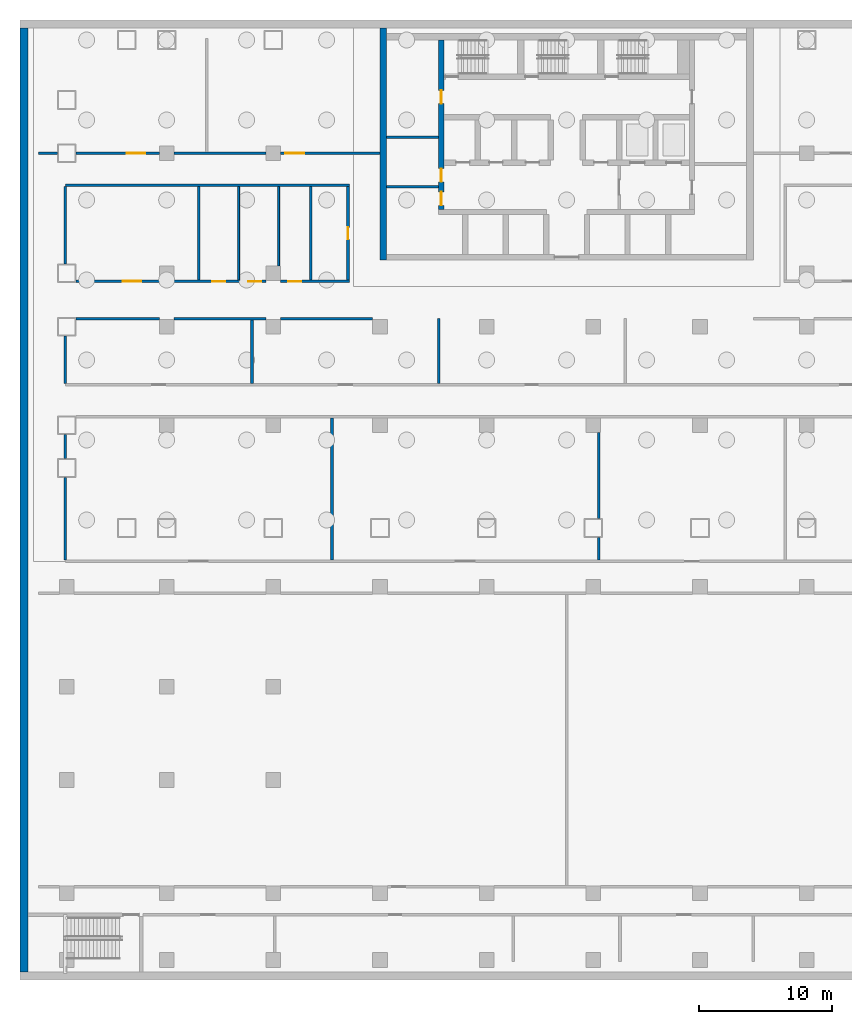
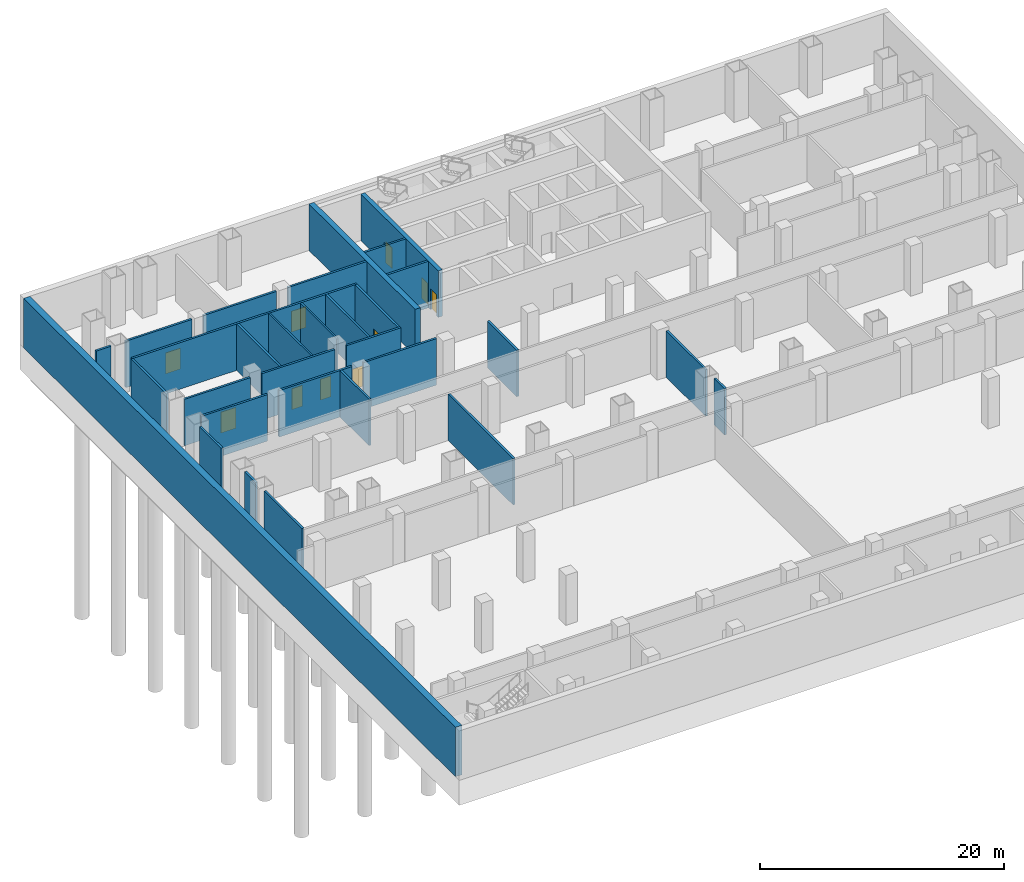
# One storey, part 6 of 14: 30 walls, 10 doors, 10 openings.
"""IFC4 building model written with IfcOpenShell, lengths in metres."""

from ifc_helpers import new_model, si_unit, direction, frame, frame_2d, origin, place, context, subcontext, project, spatial, rectangle, extrude, material, layer, layer_set, type_object, element, fill, save


model = new_model("IFC4")

# Units and contexts
model_context = context("Model", 3, precision=1e-05, world=origin(), true_north=direction((0.0, 1.0)))
body_context = subcontext(model_context, "Body", "Model", "MODEL_VIEW")
ifc_project = project(units=[si_unit("LENGTHUNIT", "METRE"), si_unit("AREAUNIT", "SQUARE_METRE"), si_unit("VOLUMEUNIT", "CUBIC_METRE"), si_unit("PLANEANGLEUNIT", "RADIAN"), si_unit("MASSUNIT", "GRAM", prefix="KILO")], contexts=[model_context])

# Site, building, storey
site_placement = place(None, origin())
site = spatial("IfcSite", under=ifc_project, at=site_placement, CompositionType="ELEMENT")
building_placement = place(site_placement, origin())
building = spatial("IfcBuilding", under=site, at=building_placement, Name="Vidyagriha Tower", CompositionType="ELEMENT")
storey_placement = place(building_placement, frame((0.0, 0.0, -10.0)))
storey = spatial("IfcBuildingStorey", under=building, at=storey_placement, Name="B2", CompositionType="ELEMENT", Elevation=-10.0)

# Wall
ifc_material_1 = material(Name="Concrete C50/60", Category="concrete")
ifc_layer_1 = layer(ifc_material_1, 0.60009765625)
ifc_layer_set_1 = layer_set([ifc_layer_1], Name="Concrete C50/60")
wall_type_1 = type_object("IfcWallType", Name="Basement retaining wall 600", PredefinedType="SOLIDWALL", material=ifc_layer_set_1)
wall_1_placement = place(storey_placement, frame((-40.699951171875, -50.39990234375, -0.300048828125), z_axis=(0.0, 0.0, 1.0), x_axis=(0.0, 1.0, 0.0)))
element("IfcWall", 1, at=wall_1_placement, inside=storey, type_object=wall_type_1, Name="st-retwall-B2-w", PredefinedType="SOLIDWALL", context=body_context, shape_type="SweptSolid", body=[
    extrude(rectangle(XDim=70.7998046875, YDim=0.60009765625, at=frame_2d((35.39990234375, 0.0))), origin(), (0.0, 0.0, 1.0), 4.949951171875),
])

# Wall, openings, doors
ifc_material_2 = material(Name="Concrete C60/75", Category="concrete")
ifc_layer_2 = layer(ifc_material_2, 0.39990234375)
ifc_layer_set_2 = layer_set([ifc_layer_2], Name="Concrete C60/75")
wall_type_2 = type_object("IfcWallType", Name="Core shear wall 400 mm", PredefinedType="SHEAR", material=ifc_layer_set_2)
wall_2_placement = place(storey_placement, frame((-9.39990234375, 6.800048828125, 0.0), z_axis=(0.0, 0.0, 1.0), x_axis=(0.0, 1.0, 0.0)))
wall_2 = element("IfcWall", 2, at=wall_2_placement, inside=storey, type_object=wall_type_2, Name="Core west spine wall", PredefinedType="SHEAR", context=body_context, shape_type="SweptSolid", body=[
    extrude(rectangle(XDim=12.699951171875, YDim=0.39990234375, at=frame_2d((6.35009765625, 0.0))), origin(), (0.0, 0.0, 1.0), 4.64990234375),
])
opening_1_placement = place(wall_2_placement, frame((0.300048828125, 0.0, 0.0)))
opening_1 = element("IfcOpeningElement", 3, at=opening_1_placement, cuts=wall_2, Name="Opening DB2-10", PredefinedType="OPENING", context=body_context, shape_type="SweptSolid", body=[
    extrude(rectangle(XDim=1.0, YDim=2.10009765625, at=frame_2d((0.5, 1.050048828125))), frame((0.0, 0.2099609375, 0.0), z_axis=(0.0, -1.0, 0.0), x_axis=(1.0, 0.0, 0.0)), (0.0, 0.0, 1.0), 0.419921875),
])
opening_2_placement = place(wall_2_placement, frame((2.050048828125, 0.0, 0.0)))
opening_2 = element("IfcOpeningElement", 4, at=opening_2_placement, cuts=wall_2, Name="Opening DB2-11", PredefinedType="OPENING", context=body_context, shape_type="SweptSolid", body=[
    extrude(rectangle(XDim=1.0, YDim=2.10009765625, at=frame_2d((0.5, 1.050048828125))), frame((0.0, 0.2099609375, 0.0), z_axis=(0.0, -1.0, 0.0), x_axis=(1.0, 0.0, 0.0)), (0.0, 0.0, 1.0), 0.419921875),
])
opening_3_placement = place(wall_2_placement, frame((7.925048828125, 0.0, 0.0)))
opening_3 = element("IfcOpeningElement", 5, at=opening_3_placement, cuts=wall_2, Name="Opening DB2-12", PredefinedType="OPENING", context=body_context, shape_type="SweptSolid", body=[
    extrude(rectangle(XDim=1.0, YDim=2.10009765625, at=frame_2d((0.5, 1.050048828125))), frame((0.0, 0.2099609375, 0.0), z_axis=(0.0, -1.0, 0.0), x_axis=(1.0, 0.0, 0.0)), (0.0, 0.0, 1.0), 0.419921875),
])
ifc_material_3 = material(Name="Hollow metal door leaf")
door_type_1 = type_object("IfcDoorType", Name="Core room door 1000 x 2100 mm EI 60", OperationType="NOTDEFINED", PredefinedType="DOOR", material=ifc_material_3)
door_1_placement = place(opening_1_placement, frame((1.0, 0.0, 0.0), z_axis=(0.0, 0.0, 1.0), x_axis=(-1.0, 0.0, 0.0)))
door_1 = element("IfcDoor", 6, at=door_1_placement, inside=storey, type_object=door_type_1, Name="Door Electrical Room B2.W1", OperationType="SINGLE_SWING_RIGHT", OverallHeight=2.10009765625, OverallWidth=1.0, PredefinedType="DOOR", context=body_context, shape_type="SweptSolid", body=[
    extrude(rectangle(XDim=1.0, YDim=2.10009765625, at=frame_2d((0.5, 1.050048828125))), frame((0.0, 0.02490234375, 0.0), z_axis=(0.0, -1.0, 0.0), x_axis=(1.0, 0.0, 0.0)), (0.0, 0.0, 1.0), 0.050048828125),
])
fill(opening_1, door_1)
door_2_placement = place(opening_2_placement, frame((1.0, 0.0, 0.0), z_axis=(0.0, 0.0, 1.0), x_axis=(-1.0, 0.0, 0.0)))
door_2 = element("IfcDoor", 7, at=door_2_placement, inside=storey, type_object=door_type_1, Name="Door Refuse Room B2.W2", OperationType="SINGLE_SWING_LEFT", OverallHeight=2.10009765625, OverallWidth=1.0, PredefinedType="DOOR", context=body_context, shape_type="SweptSolid", body=[
    extrude(rectangle(XDim=1.0, YDim=2.10009765625, at=frame_2d((0.5, 1.050048828125))), frame((0.0, 0.02490234375, 0.0), z_axis=(0.0, -1.0, 0.0), x_axis=(1.0, 0.0, 0.0)), (0.0, 0.0, 1.0), 0.050048828125),
])
fill(opening_2, door_2)
door_3_placement = place(opening_3_placement, frame((1.0, 0.0, 0.0), z_axis=(0.0, 0.0, 1.0), x_axis=(-1.0, 0.0, 0.0)))
door_3 = element("IfcDoor", 8, at=door_3_placement, inside=storey, type_object=door_type_1, Name="Door Mechanical Riser Room B2.W3", OperationType="SINGLE_SWING_LEFT", OverallHeight=2.10009765625, OverallWidth=1.0, PredefinedType="DOOR", context=body_context, shape_type="SweptSolid", body=[
    extrude(rectangle(XDim=1.0, YDim=2.10009765625, at=frame_2d((0.5, 1.050048828125))), frame((0.0, 0.02490234375, 0.0), z_axis=(0.0, -1.0, 0.0), x_axis=(1.0, 0.0, 0.0)), (0.0, 0.0, 1.0), 0.050048828125),
])
fill(opening_3, door_3)

# Walls
ifc_material_4 = material(Name="Concrete C60/75", Category="concrete")
ifc_layer_3 = layer(ifc_material_4, 0.5)
ifc_layer_set_3 = layer_set([ifc_layer_3], Name="Concrete C60/75")
wall_type_3 = type_object("IfcWallType", Name="Core shear wall 500 mm", PredefinedType="SHEAR", material=ifc_layer_set_3)
wall_3_placement = place(storey_placement, frame((-13.75, 3.0, 0.0), z_axis=(0.0, 0.0, 1.0), x_axis=(0.0, 1.0, 0.0)))
element("IfcWall", 9, at=wall_3_placement, inside=storey, type_object=wall_type_3, Name="Core west wall", PredefinedType="SHEAR", context=body_context, shape_type="SweptSolid", body=[
    extrude(rectangle(XDim=17.39990234375, YDim=0.5, at=frame_2d((8.699951171875, 0.0))), origin(), (0.0, 0.0, 1.0), 4.64990234375),
])
ifc_material_5 = material(Name="Fire rated gypsum board on light gauge framing")
ifc_layer_4 = layer(ifc_material_5, 0.199951171875)
ifc_layer_set_4 = layer_set([ifc_layer_4], Name="Fire rated gypsum board on light gauge framing")
wall_type_4 = type_object("IfcWallType", Name="Fire Rated Corridor Wall 200", PredefinedType="PARTITIONING", material=ifc_layer_set_4)
wall_4_placement = place(storey_placement, frame((-36.800048828125, -1.39990234375, 0.0)))
element("IfcWall", 10, at=wall_4_placement, inside=storey, type_object=wall_type_4, Name="B2 Fire Rated Corridor Wall 200 032", PredefinedType="PARTITIONING", context=body_context, shape_type="SweptSolid", body=[
    extrude(rectangle(XDim=6.25, YDim=0.199951171875, at=frame_2d((3.125, 0.0))), origin(), (0.0, 0.0, 1.0), 4.64990234375),
])
for number, where, name in (
    (11, (-29.449951171875, -1.39990234375, 0.0), "B2 Fire Rated Corridor Wall 200 033"),
    (12, (-21.449951171875, -1.39990234375, 0.0), "B2 Fire Rated Corridor Wall 200 034"),
):
    element("IfcWall", number, at=place(storey_placement, frame(where)), inside=storey, type_object=wall_type_4, Name=name, PredefinedType="PARTITIONING", context=body_context, shape_type="SweptSolid", body=[
        extrude(rectangle(XDim=6.89990234375, YDim=0.199951171875, at=frame_2d((3.449951171875, 0.0))), origin(), (0.0, 0.0, 1.0), 4.64990234375),
    ])

# Wall, opening, door
wall_5_placement = place(storey_placement, frame((-36.800048828125, 1.39990234375, 0.0)))
wall_5 = element("IfcWall", 13, at=wall_5_placement, inside=storey, type_object=wall_type_4, Name="B2 Fire Rated Corridor Wall 200 039", PredefinedType="PARTITIONING", context=body_context, shape_type="SweptSolid", body=[
    extrude(rectangle(XDim=6.25, YDim=0.199951171875, at=frame_2d((3.125, 0.0))), origin(), (0.0, 0.0, 1.0), 4.64990234375),
])
opening_4_placement = place(wall_5_placement, frame((3.5, 0.0, 0.0)))
opening_4 = element("IfcOpeningElement", 14, at=opening_4_placement, cuts=wall_5, Name="Opening DB2-27", PredefinedType="OPENING", context=body_context, shape_type="SweptSolid", body=[
    extrude(rectangle(XDim=1.39990234375, YDim=2.10009765625, at=frame_2d((0.699951171875, 1.050048828125))), frame((0.0, 0.10986328125, 0.0), z_axis=(0.0, -1.0, 0.0), x_axis=(1.0, 0.0, 0.0)), (0.0, 0.0, 1.0), 0.219970703125),
])
ifc_material_6 = material(Name="Steel fire door set", Category="steel")
door_type_2 = type_object("IfcDoorType", Name="Podium Door 1400x2100 EI 60 Pair", OperationType="NOTDEFINED", PredefinedType="DOOR", material=ifc_material_6)
door_4_placement = place(opening_4_placement, frame((1.39990234375, 0.0, 0.0), z_axis=(0.0, 0.0, 1.0), x_axis=(-1.0, 0.0, 0.0)))
door_4 = element("IfcDoor", 15, at=door_4_placement, inside=storey, type_object=door_type_2, Name="B2 door DB2-27", OperationType="DOUBLE_DOOR_SINGLE_SWING", OverallHeight=2.10009765625, OverallWidth=1.39990234375, PredefinedType="DOOR", context=body_context, shape_type="SweptSolid", body=[
    extrude(rectangle(XDim=1.39990234375, YDim=2.10009765625, at=frame_2d((0.699951171875, 1.050048828125))), frame((0.0, 0.02490234375, 0.0), z_axis=(0.0, -1.0, 0.0), x_axis=(1.0, 0.0, 0.0)), (0.0, 0.0, 1.0), 0.050048828125),
])
fill(opening_4, door_4)

# Wall, openings, doors
wall_6_placement = place(storey_placement, frame((-29.449951171875, 1.39990234375, 0.0)))
wall_6 = element("IfcWall", 16, at=wall_6_placement, inside=storey, type_object=wall_type_4, Name="B2 Fire Rated Corridor Wall 200 040", PredefinedType="PARTITIONING", context=body_context, shape_type="SweptSolid", body=[
    extrude(rectangle(XDim=6.89990234375, YDim=0.199951171875, at=frame_2d((3.449951171875, 0.0))), origin(), (0.0, 0.0, 1.0), 4.64990234375),
])
opening_5_placement = place(wall_6_placement, frame((2.85009765625, 0.0, 0.0)))
opening_5 = element("IfcOpeningElement", 17, at=opening_5_placement, cuts=wall_6, Name="Opening DB2-28", PredefinedType="OPENING", context=body_context, shape_type="SweptSolid", body=[
    extrude(rectangle(XDim=1.0, YDim=2.10009765625, at=frame_2d((0.5, 1.050048828125))), frame((0.0, 0.10986328125, 0.0), z_axis=(0.0, -1.0, 0.0), x_axis=(1.0, 0.0, 0.0)), (0.0, 0.0, 1.0), 0.219970703125),
])
opening_6_placement = place(wall_6_placement, frame((5.550048828125, 0.0, 0.0)))
opening_6 = element("IfcOpeningElement", 18, at=opening_6_placement, cuts=wall_6, Name="Opening DB2-29", PredefinedType="OPENING", context=body_context, shape_type="SweptSolid", body=[
    extrude(rectangle(XDim=1.0, YDim=2.10009765625, at=frame_2d((0.5, 1.050048828125))), frame((0.0, 0.10986328125, 0.0), z_axis=(0.0, -1.0, 0.0), x_axis=(1.0, 0.0, 0.0)), (0.0, 0.0, 1.0), 0.219970703125),
])
ifc_material_7 = material(Name="Steel fire door set", Category="steel")
door_type_3 = type_object("IfcDoorType", Name="Podium Door 1000x2100 EI 30", OperationType="NOTDEFINED", PredefinedType="DOOR", material=ifc_material_7)
door_5_placement = place(opening_5_placement, origin())
door_5 = element("IfcDoor", 19, at=door_5_placement, inside=storey, type_object=door_type_3, Name="B2 door DB2-28", OperationType="SINGLE_SWING_LEFT", OverallHeight=2.10009765625, OverallWidth=1.0, PredefinedType="DOOR", context=body_context, shape_type="SweptSolid", body=[
    extrude(rectangle(XDim=1.0, YDim=2.10009765625, at=frame_2d((0.5, 1.050048828125))), frame((0.0, 0.02490234375, 0.0), z_axis=(0.0, -1.0, 0.0), x_axis=(1.0, 0.0, 0.0)), (0.0, 0.0, 1.0), 0.050048828125),
])
fill(opening_5, door_5)
door_6_placement = place(opening_6_placement, origin())
door_6 = element("IfcDoor", 20, at=door_6_placement, inside=storey, type_object=door_type_3, Name="B2 door DB2-29", OperationType="SINGLE_SWING_RIGHT", OverallHeight=2.10009765625, OverallWidth=1.0, PredefinedType="DOOR", context=body_context, shape_type="SweptSolid", body=[
    extrude(rectangle(XDim=1.0, YDim=2.10009765625, at=frame_2d((0.5, 1.050048828125))), frame((0.0, 0.02490234375, 0.0), z_axis=(0.0, -1.0, 0.0), x_axis=(1.0, 0.0, 0.0)), (0.0, 0.0, 1.0), 0.050048828125),
])
fill(opening_6, door_6)

# Wall, opening, door
wall_7_placement = place(storey_placement, frame((-21.449951171875, 1.39990234375, 0.0)))
wall_7 = element("IfcWall", 21, at=wall_7_placement, inside=storey, type_object=wall_type_4, Name="B2 Fire Rated Corridor Wall 200 041", PredefinedType="PARTITIONING", context=body_context, shape_type="SweptSolid", body=[
    extrude(rectangle(XDim=5.14990234375, YDim=0.199951171875, at=frame_2d((2.574951171875, 0.0))), origin(), (0.0, 0.0, 1.0), 4.64990234375),
])
opening_7_placement = place(wall_7_placement, frame((0.550048828125, 0.0, 0.0)))
opening_7 = element("IfcOpeningElement", 22, at=opening_7_placement, cuts=wall_7, Name="Opening DB2-30", PredefinedType="OPENING", context=body_context, shape_type="SweptSolid", body=[
    extrude(rectangle(XDim=1.0, YDim=2.10009765625, at=frame_2d((0.5, 1.050048828125))), frame((0.0, 0.10986328125, 0.0), z_axis=(0.0, -1.0, 0.0), x_axis=(1.0, 0.0, 0.0)), (0.0, 0.0, 1.0), 0.219970703125),
])
door_7_placement = place(opening_7_placement, origin())
door_7 = element("IfcDoor", 23, at=door_7_placement, inside=storey, type_object=door_type_3, Name="B2 door DB2-30", OperationType="SINGLE_SWING_LEFT", OverallHeight=2.10009765625, OverallWidth=1.0, PredefinedType="DOOR", context=body_context, shape_type="SweptSolid", body=[
    extrude(rectangle(XDim=1.0, YDim=2.10009765625, at=frame_2d((0.5, 1.050048828125))), frame((0.0, 0.02490234375, 0.0), z_axis=(0.0, -1.0, 0.0), x_axis=(1.0, 0.0, 0.0)), (0.0, 0.0, 1.0), 0.050048828125),
])
fill(opening_7, door_7)

# Walls
wall_8_placement = place(storey_placement, frame((-37.599853515625, 8.60009765625, 0.0)))
element("IfcWall", 24, at=wall_8_placement, inside=storey, type_object=wall_type_4, Name="B2 Fire Rated Corridor Wall 200 046", PredefinedType="PARTITIONING", context=body_context, shape_type="SweptSolid", body=[
    extrude(rectangle(XDim=21.2998046875, YDim=0.199951171875, at=frame_2d((10.64990234375, 0.0))), origin(), (0.0, 0.0, 1.0), 4.64990234375),
])
wall_9_placement = place(storey_placement, frame((-39.60009765625, 11.0, 0.0)))
element("IfcWall", 25, at=wall_9_placement, inside=storey, type_object=wall_type_4, Name="B2 Fire Rated Corridor Wall 200 048", PredefinedType="PARTITIONING", context=body_context, shape_type="SweptSolid", body=[
    extrude(rectangle(XDim=1.400146484375, YDim=0.199951171875, at=frame_2d((0.7001953125, 0.0))), origin(), (0.0, 0.0, 1.0), 4.64990234375),
])

# Wall, opening, door
wall_10_placement = place(storey_placement, frame((-36.800048828125, 11.0, 0.0)))
wall_10 = element("IfcWall", 26, at=wall_10_placement, inside=storey, type_object=wall_type_4, Name="B2 Fire Rated Corridor Wall 200 049", PredefinedType="PARTITIONING", context=body_context, shape_type="SweptSolid", body=[
    extrude(rectangle(XDim=6.25, YDim=0.199951171875, at=frame_2d((3.125, 0.0))), origin(), (0.0, 0.0, 1.0), 4.64990234375),
])
opening_8_placement = place(wall_10_placement, frame((3.800048828125, 0.0, 0.0)))
opening_8 = element("IfcOpeningElement", 27, at=opening_8_placement, cuts=wall_10, Name="Opening DB2-34", PredefinedType="OPENING", context=body_context, shape_type="SweptSolid", body=[
    extrude(rectangle(XDim=1.39990234375, YDim=2.10009765625, at=frame_2d((0.699951171875, 1.050048828125))), frame((0.0, 0.10986328125, 0.0), z_axis=(0.0, -1.0, 0.0), x_axis=(1.0, 0.0, 0.0)), (0.0, 0.0, 1.0), 0.219970703125),
])
door_8_placement = place(opening_8_placement, frame((1.39990234375, 0.0, 0.0), z_axis=(0.0, 0.0, 1.0), x_axis=(-1.0, 0.0, 0.0)))
door_8 = element("IfcDoor", 28, at=door_8_placement, inside=storey, type_object=door_type_2, Name="B2 door DB2-34", OperationType="DOUBLE_DOOR_SINGLE_SWING", OverallHeight=2.10009765625, OverallWidth=1.39990234375, PredefinedType="DOOR", context=body_context, shape_type="SweptSolid", body=[
    extrude(rectangle(XDim=1.39990234375, YDim=2.10009765625, at=frame_2d((0.699951171875, 1.050048828125))), frame((0.0, 0.02490234375, 0.0), z_axis=(0.0, -1.0, 0.0), x_axis=(1.0, 0.0, 0.0)), (0.0, 0.0, 1.0), 0.050048828125),
])
fill(opening_8, door_8)

# Wall
wall_11_placement = place(storey_placement, frame((-29.449951171875, 11.0, 0.0)))
element("IfcWall", 29, at=wall_11_placement, inside=storey, type_object=wall_type_4, Name="B2 Fire Rated Corridor Wall 200 050", PredefinedType="PARTITIONING", context=body_context, shape_type="SweptSolid", body=[
    extrude(rectangle(XDim=6.89990234375, YDim=0.199951171875, at=frame_2d((3.449951171875, 0.0))), origin(), (0.0, 0.0, 1.0), 4.64990234375),
])

# Wall, opening, door
wall_12_placement = place(storey_placement, frame((-21.449951171875, 11.0, 0.0)))
wall_12 = element("IfcWall", 30, at=wall_12_placement, inside=storey, type_object=wall_type_4, Name="B2 Fire Rated Corridor Wall 200 051", PredefinedType="PARTITIONING", context=body_context, shape_type="SweptSolid", body=[
    extrude(rectangle(XDim=7.449951171875, YDim=0.199951171875, at=frame_2d((3.72509765625, 0.0))), origin(), (0.0, 0.0, 1.0), 4.64990234375),
])
opening_9_placement = place(wall_12_placement, frame((0.35009765625, 0.0, 0.0)))
opening_9 = element("IfcOpeningElement", 31, at=opening_9_placement, cuts=wall_12, Name="Opening DB2-35", PredefinedType="OPENING", context=body_context, shape_type="SweptSolid", body=[
    extrude(rectangle(XDim=1.39990234375, YDim=2.10009765625, at=frame_2d((0.699951171875, 1.050048828125))), frame((0.0, 0.10986328125, 0.0), z_axis=(0.0, -1.0, 0.0), x_axis=(1.0, 0.0, 0.0)), (0.0, 0.0, 1.0), 0.219970703125),
])
door_9_placement = place(opening_9_placement, frame((1.39990234375, 0.0, 0.0), z_axis=(0.0, 0.0, 1.0), x_axis=(-1.0, 0.0, 0.0)))
door_9 = element("IfcDoor", 32, at=door_9_placement, inside=storey, type_object=door_type_2, Name="B2 door DB2-35", OperationType="DOUBLE_DOOR_SINGLE_SWING", OverallHeight=2.10009765625, OverallWidth=1.39990234375, PredefinedType="DOOR", context=body_context, shape_type="SweptSolid", body=[
    extrude(rectangle(XDim=1.39990234375, YDim=2.10009765625, at=frame_2d((0.699951171875, 1.050048828125))), frame((0.0, 0.02490234375, 0.0), z_axis=(0.0, -1.0, 0.0), x_axis=(1.0, 0.0, 0.0)), (0.0, 0.0, 1.0), 0.050048828125),
])
fill(opening_9, door_9)

# Walls
wall_13_placement = place(storey_placement, frame((-37.60009765625, -19.5, 0.0), z_axis=(0.0, 0.0, 1.0), x_axis=(0.0, 1.0, 0.0)))
element("IfcWall", 33, at=wall_13_placement, inside=storey, type_object=wall_type_4, Name="B2 Fire Rated Corridor Wall 200 057", PredefinedType="PARTITIONING", context=body_context, shape_type="SweptSolid", body=[
    extrude(rectangle(XDim=6.199951171875, YDim=0.199951171875, at=frame_2d((3.10009765625, 0.0))), origin(), (0.0, 0.0, 1.0), 4.64990234375),
])
wall_14_placement = place(storey_placement, frame((-37.60009765625, -11.89990234375, 0.0), z_axis=(0.0, 0.0, 1.0), x_axis=(0.0, 1.0, 0.0)))
element("IfcWall", 34, at=wall_14_placement, inside=storey, type_object=wall_type_4, Name="B2 Fire Rated Corridor Wall 200 058", PredefinedType="PARTITIONING", context=body_context, shape_type="SweptSolid", body=[
    extrude(rectangle(XDim=1.7998046875, YDim=0.199951171875, at=frame_2d((0.89990234375, 0.0))), origin(), (0.0, 0.0, 1.0), 4.64990234375),
])
wall_15_placement = place(storey_placement, frame((-37.60009765625, -6.25, 0.0), z_axis=(0.0, 0.0, 1.0), x_axis=(0.0, 1.0, 0.0)))
element("IfcWall", 35, at=wall_15_placement, inside=storey, type_object=wall_type_4, Name="B2 Fire Rated Corridor Wall 200 059", PredefinedType="PARTITIONING", context=body_context, shape_type="SweptSolid", body=[
    extrude(rectangle(XDim=3.550048828125, YDim=0.199951171875, at=frame_2d((1.77490234375, 0.0))), origin(), (0.0, 0.0, 1.0), 4.64990234375),
])
wall_16_placement = place(storey_placement, frame((-37.60009765625, 2.699951171875, 0.0), z_axis=(0.0, 0.0, 1.0), x_axis=(0.0, 1.0, 0.0)))
element("IfcWall", 36, at=wall_16_placement, inside=storey, type_object=wall_type_4, Name="B2 Fire Rated Corridor Wall 200 060", PredefinedType="PARTITIONING", context=body_context, shape_type="SweptSolid", body=[
    extrude(rectangle(XDim=5.800048828125, YDim=0.199951171875, at=frame_2d((2.89990234375, 0.0))), origin(), (0.0, 0.0, 1.0), 4.64990234375),
])
wall_17_placement = place(storey_placement, frame((-27.60009765625, 1.5, 0.0), z_axis=(0.0, 0.0, 1.0), x_axis=(0.0, 1.0, 0.0)))
element("IfcWall", 37, at=wall_17_placement, inside=storey, type_object=wall_type_4, Name="B2 Fire Rated Corridor Wall 200 062", PredefinedType="PARTITIONING", context=body_context, shape_type="SweptSolid", body=[
    extrude(rectangle(XDim=7.0, YDim=0.199951171875, at=frame_2d((3.5, 0.0))), origin(), (0.0, 0.0, 1.0), 4.64990234375),
])
wall_18_placement = place(storey_placement, frame((-23.60009765625, -6.25, 0.0), z_axis=(0.0, 0.0, 1.0), x_axis=(0.0, 1.0, 0.0)))
element("IfcWall", 38, at=wall_18_placement, inside=storey, type_object=wall_type_4, Name="B2 Fire Rated Corridor Wall 200 065", PredefinedType="PARTITIONING", context=body_context, shape_type="SweptSolid", body=[
    extrude(rectangle(XDim=4.75, YDim=0.199951171875, at=frame_2d((2.375, 0.0))), origin(), (0.0, 0.0, 1.0), 4.64990234375),
])
wall_19_placement = place(storey_placement, frame((-19.199951171875, 1.5, 0.0), z_axis=(0.0, 0.0, 1.0), x_axis=(0.0, 1.0, 0.0)))
element("IfcWall", 39, at=wall_19_placement, inside=storey, type_object=wall_type_4, Name="B2 Fire Rated Corridor Wall 200 068", PredefinedType="PARTITIONING", context=body_context, shape_type="SweptSolid", body=[
    extrude(rectangle(XDim=7.0, YDim=0.199951171875, at=frame_2d((3.5, 0.0))), origin(), (0.0, 0.0, 1.0), 4.64990234375),
])
wall_20_placement = place(storey_placement, frame((-17.60009765625, -19.5, 0.0), z_axis=(0.0, 0.0, 1.0), x_axis=(0.0, 1.0, 0.0)))
element("IfcWall", 40, at=wall_20_placement, inside=storey, type_object=wall_type_4, Name="B2 Fire Rated Corridor Wall 200 069", PredefinedType="PARTITIONING", context=body_context, shape_type="SweptSolid", body=[
    extrude(rectangle(XDim=10.64990234375, YDim=0.199951171875, at=frame_2d((5.324951171875, 0.0))), origin(), (0.0, 0.0, 1.0), 4.64990234375),
])

# Wall, opening, door
wall_21_placement = place(storey_placement, frame((-16.39990234375, 1.5, 0.0), z_axis=(0.0, 0.0, 1.0), x_axis=(0.0, 1.0, 0.0)))
wall_21 = element("IfcWall", 41, at=wall_21_placement, inside=storey, type_object=wall_type_4, Name="B2 Fire Rated Corridor Wall 200 070", PredefinedType="PARTITIONING", context=body_context, shape_type="SweptSolid", body=[
    extrude(rectangle(XDim=7.0, YDim=0.199951171875, at=frame_2d((3.5, 0.0))), origin(), (0.0, 0.0, 1.0), 4.64990234375),
])
opening_10_placement = place(wall_21_placement, frame((3.0498046875, 0.0, 0.0)))
opening_10 = element("IfcOpeningElement", 42, at=opening_10_placement, cuts=wall_21, Name="Opening DB2-31", PredefinedType="OPENING", context=body_context, shape_type="SweptSolid", body=[
    extrude(rectangle(XDim=0.89990234375, YDim=2.10009765625, at=frame_2d((0.449951171875, 1.050048828125))), frame((0.0, 0.10986328125, 0.0), z_axis=(0.0, -1.0, 0.0), x_axis=(1.0, 0.0, 0.0)), (0.0, 0.0, 1.0), 0.219970703125),
])
ifc_material_8 = material(Name="Steel fire door set", Category="steel")
door_type_4 = type_object("IfcDoorType", Name="Podium Door 900x2100 EI 30", OperationType="NOTDEFINED", PredefinedType="DOOR", material=ifc_material_8)
door_10_placement = place(opening_10_placement, origin())
door_10 = element("IfcDoor", 43, at=door_10_placement, inside=storey, type_object=door_type_4, Name="B2 door DB2-31", OperationType="SINGLE_SWING_LEFT", OverallHeight=2.10009765625, OverallWidth=0.89990234375, PredefinedType="DOOR", context=body_context, shape_type="SweptSolid", body=[
    extrude(rectangle(XDim=0.89990234375, YDim=2.10009765625, at=frame_2d((0.449951171875, 1.050048828125))), frame((0.0, 0.02490234375, 0.0), z_axis=(0.0, -1.0, 0.0), x_axis=(1.0, 0.0, 0.0)), (0.0, 0.0, 1.0), 0.050048828125),
])
fill(opening_10, door_10)

# Walls
wall_22_placement = place(storey_placement, frame((-9.60009765625, -6.25, 0.0), z_axis=(0.0, 0.0, 1.0), x_axis=(0.0, 1.0, 0.0)))
element("IfcWall", 44, at=wall_22_placement, inside=storey, type_object=wall_type_4, Name="B2 Fire Rated Corridor Wall 200 071", PredefinedType="PARTITIONING", context=body_context, shape_type="SweptSolid", body=[
    extrude(rectangle(XDim=4.849853515625, YDim=0.199951171875, at=frame_2d((2.4248046875, 0.0))), origin(), (0.0, 0.0, 1.0), 4.64990234375),
])
wall_23_placement = place(storey_placement, frame((2.39990234375, -19.5, 0.0), z_axis=(0.0, 0.0, 1.0), x_axis=(0.0, 1.0, 0.0)))
element("IfcWall", 45, at=wall_23_placement, inside=storey, type_object=wall_type_4, Name="B2 Fire Rated Corridor Wall 200 074", PredefinedType="PARTITIONING", context=body_context, shape_type="SweptSolid", body=[
    extrude(rectangle(XDim=1.699951171875, YDim=0.199951171875, at=frame_2d((0.85009765625, 0.0))), origin(), (0.0, 0.0, 1.0), 4.64990234375),
])
wall_24_placement = place(storey_placement, frame((2.39990234375, -16.39990234375, 0.0), z_axis=(0.0, 0.0, 1.0), x_axis=(0.0, 1.0, 0.0)))
element("IfcWall", 46, at=wall_24_placement, inside=storey, type_object=wall_type_4, Name="B2 Fire Rated Corridor Wall 200 075", PredefinedType="PARTITIONING", context=body_context, shape_type="SweptSolid", body=[
    extrude(rectangle(XDim=6.449951171875, YDim=0.199951171875, at=frame_2d((3.22509765625, 0.0))), origin(), (0.0, 0.0, 1.0), 4.64990234375),
])
ifc_material_9 = material(Name="Gypsum board on light gauge framing")
ifc_layer_5 = layer(ifc_material_9, 0.14990234375)
ifc_layer_set_5 = layer_set([ifc_layer_5], Name="Gypsum board on light gauge framing")
wall_type_5 = type_object("IfcWallType", Name="Gypsum Board Partition 150", PredefinedType="PARTITIONING", material=ifc_layer_set_5)
wall_25_placement = place(storey_placement, frame((-24.60009765625, 1.5, 0.0), z_axis=(0.0, 0.0, 1.0), x_axis=(0.0, 1.0, 0.0)))
element("IfcWall", 47, at=wall_25_placement, inside=storey, type_object=wall_type_5, Name="B2 Gypsum Board Partition 150 064", PredefinedType="PARTITIONING", context=body_context, shape_type="SweptSolid", body=[
    extrude(rectangle(XDim=7.0, YDim=0.14990234375, at=frame_2d((3.5, 0.0))), origin(), (0.0, 0.0, 1.0), 4.64990234375),
])
wall_26_placement = place(storey_placement, frame((-21.60009765625, 2.550048828125, 0.0), z_axis=(0.0, 0.0, 1.0), x_axis=(0.0, 1.0, 0.0)))
element("IfcWall", 48, at=wall_26_placement, inside=storey, type_object=wall_type_5, Name="B2 Gypsum Board Partition 150 067", PredefinedType="PARTITIONING", context=body_context, shape_type="SweptSolid", body=[
    extrude(rectangle(XDim=5.949951171875, YDim=0.14990234375, at=frame_2d((2.97509765625, 0.0))), origin(), (0.0, 0.0, 1.0), 4.64990234375),
])
ifc_material_10 = material(Name="Blockwork 15 MPa", Category="masonry")
ifc_layer_6 = layer(ifc_material_10, 0.199951171875)
ifc_layer_set_6 = layer_set([ifc_layer_6], Name="Blockwork 15 MPa")
wall_type_6 = type_object("IfcWallType", Name="Service room partition 200 mm", PredefinedType="PARTITIONING", material=ifc_layer_set_6)
for number, where, name in (
    (49, (-13.5, 8.5, 0.0), "Core room partition W1"),
    (50, (-13.5, 12.199951171875, 0.0), "Core room partition W2"),
):
    element("IfcWall", number, at=place(storey_placement, frame(where)), inside=storey, type_object=wall_type_6, Name=name, PredefinedType="PARTITIONING", context=body_context, shape_type="SweptSolid", body=[
        extrude(rectangle(XDim=3.89990234375, YDim=0.199951171875, at=frame_2d((1.949951171875, 0.0))), origin(), (0.0, 0.0, 1.0), 4.64990234375),
    ])

save(model, "model.ifc")
